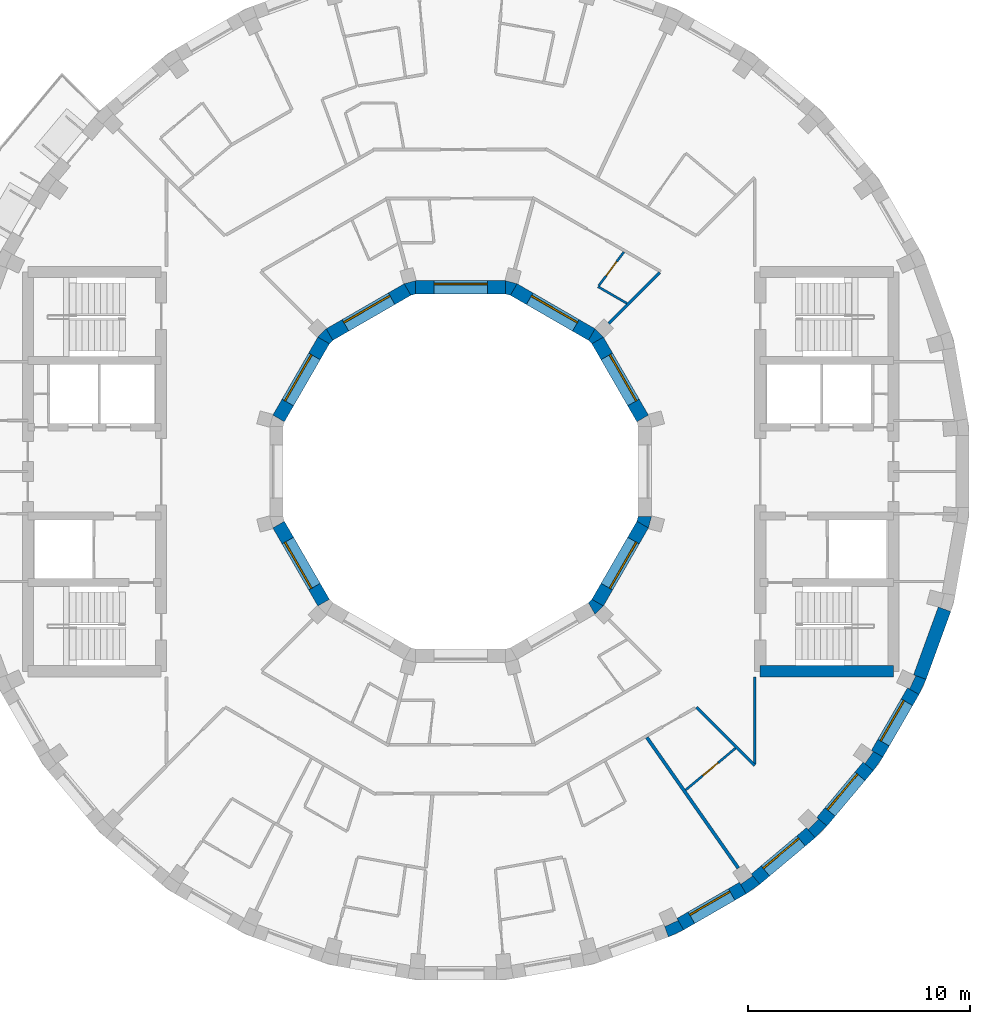
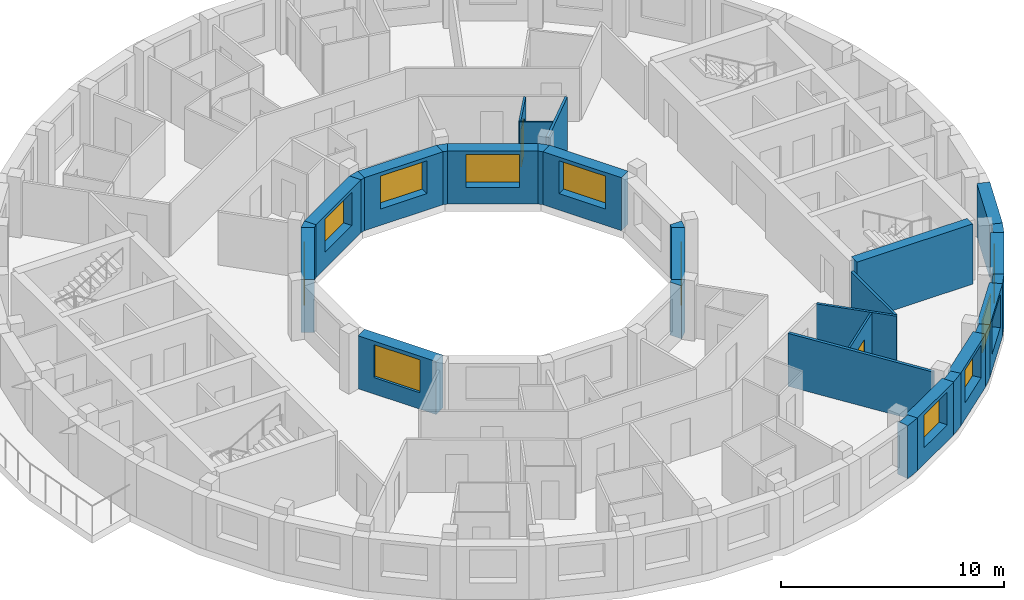
# One storey, part 5 of 10: 31 walls, 11 windows, 2 doors, 13 openings.
"""IFC4 building model written with IfcOpenShell, lengths in metres."""

from ifc_helpers import new_model, si_unit, direction, frame, frame_2d, origin, place, context, subcontext, project, spatial, polyline, rectangle, outline, extrude, material, layer, layer_set, type_object, element, fill, save


model = new_model("IFC4")

# Units and contexts
model_context = context("Model", 3, precision=1e-05, world=origin(), true_north=direction((0.0, 1.0)))
body_context = subcontext(model_context, "Body", "Model", "MODEL_VIEW")
ifc_project = project(units=[si_unit("LENGTHUNIT", "METRE"), si_unit("AREAUNIT", "SQUARE_METRE"), si_unit("VOLUMEUNIT", "CUBIC_METRE"), si_unit("PLANEANGLEUNIT", "RADIAN"), si_unit("MASSUNIT", "GRAM", prefix="KILO")], contexts=[model_context])

# Site, building, storey
site_placement = place(None, origin())
site = spatial("IfcSite", under=ifc_project, at=site_placement, CompositionType="ELEMENT")
building_placement = place(site_placement, origin())
building = spatial("IfcBuilding", under=site, at=building_placement, Name="Saqina Gate Tower", CompositionType="ELEMENT")
storey_placement = place(building_placement, frame((0.0, 0.0, 239.60009765625)))
storey = spatial("IfcBuildingStorey", under=building, at=storey_placement, Name="L68", CompositionType="ELEMENT", Elevation=239.60009765625)

# Walls
ifc_material_1 = material(Name="Brick masonry (buff)", Category="masonry")
wall_type_1 = type_object("IfcWallType", Name="BRICK PIER COPING BUFF", PredefinedType="SOLIDWALL", material=ifc_material_1)
wall_1_placement = place(storey_placement, origin())
element("IfcWall", 1, at=wall_1_placement, inside=storey, type_object=wall_type_1, Name="Pier cap L68 column 30", PredefinedType="SOLIDWALL", context=body_context, shape_type="SweptSolid", body=[
    extrude(outline(polyline([(9.3642578125, -20.974609375), (10.048095703125, -20.65576171875), (9.748291015625, -20.135986328125), (9.79296875, -20.23193359375), (9.203857421875, -20.506591796875), (9.1591796875, -20.410888671875), (9.3642578125, -20.974609375)])), origin(), (0.0, 0.0, 1.0), 2.89990234375),
])
wall_2_placement = place(storey_placement, origin())
element("IfcWall", 2, at=wall_2_placement, inside=storey, type_object=wall_type_1, Name="Pier cap L68 column 31", PredefinedType="SOLIDWALL", context=body_context, shape_type="SweptSolid", body=[
    extrude(outline(polyline([(12.8642578125, -19.02978515625), (13.482421875, -18.59716796875), (13.0966796875, -18.137451171875), (13.157470703125, -18.22412109375), (12.625, -18.596923828125), (12.564208984375, -18.51025390625), (12.8642578125, -19.02978515625)])), origin(), (0.0, 0.0, 1.0), 2.89990234375),
])
wall_3_placement = place(storey_placement, origin())
element("IfcWall", 3, at=wall_3_placement, inside=storey, type_object=wall_type_1, Name="Pier cap L68 column 32", PredefinedType="SOLIDWALL", context=body_context, shape_type="SweptSolid", body=[
    extrude(outline(polyline([(16.5068359375, -15.973388671875), (16.04736328125, -15.587646484375), (16.1220703125, -15.662353515625), (15.662353515625, -16.1220703125), (15.587646484375, -16.04736328125), (15.973388671875, -16.5068359375), (16.5068359375, -15.973388671875)])), origin(), (0.0, 0.0, 1.0), 2.89990234375),
])
wall_4_placement = place(storey_placement, origin())
element("IfcWall", 4, at=wall_4_placement, inside=storey, type_object=wall_type_1, Name="Pier cap L68 column 33", PredefinedType="SOLIDWALL", context=body_context, shape_type="SweptSolid", body=[
    extrude(outline(polyline([(19.02978515625, -12.8642578125), (18.51025390625, -12.564208984375), (18.596923828125, -12.625), (18.22412109375, -13.157470703125), (18.137451171875, -13.0966796875), (18.59716796875, -13.482421875), (19.02978515625, -12.8642578125)])), origin(), (0.0, 0.0, 1.0), 2.89990234375),
])
wall_5_placement = place(storey_placement, origin())
element("IfcWall", 5, at=wall_5_placement, inside=storey, type_object=wall_type_1, Name="Pier cap L68 column 34", PredefinedType="SOLIDWALL", context=body_context, shape_type="SweptSolid", body=[
    extrude(outline(polyline([(20.65576171875, -10.048095703125), (20.974609375, -9.3642578125), (20.410888671875, -9.1591796875), (20.506591796875, -9.203857421875), (20.23193359375, -9.79296875), (20.135986328125, -9.748291015625), (20.65576171875, -10.048095703125)])), origin(), (0.0, 0.0, 1.0), 2.89990234375),
])

# Wall, opening, window
ifc_material_2 = material(Name="Brick masonry (buff)", Category="masonry")
ifc_layer_1 = layer(ifc_material_2, 0.60009765625)
ifc_layer_set_1 = layer_set([ifc_layer_1], Name="FW-BRICK-BUFF")
wall_type_2 = type_object("IfcWallType", Name="FW-BRICK-BUFF", PredefinedType="SOLIDWALL", material=ifc_layer_set_1)
wall_6_placement = place(storey_placement, frame((9.898193359375, -20.39599609375, 0.0), z_axis=(0.0, 0.0, 1.0), x_axis=(0.866016800201, 0.500014901547, 0.0)))
wall_6 = element("IfcWall", 6, at=wall_6_placement, inside=storey, type_object=wall_type_2, Name="Facade wall L68 facet 30", PredefinedType="SOLIDWALL", context=body_context, shape_type="SweptSolid", body=[
    extrude(rectangle(XDim=3.251953125, YDim=0.60009765625, at=frame_2d((1.6259765625, 0.0))), origin(), (0.0, 0.0, 1.0), 2.89990234375),
])
opening_1_placement = place(wall_6_placement, frame((0.57568359375, 0.0, 0.89990234375)))
opening_1 = element("IfcOpeningElement", 7, at=opening_1_placement, cuts=wall_6, Name="Opening G20-W21", PredefinedType="OPENING", context=body_context, shape_type="SweptSolid", body=[
    extrude(rectangle(XDim=2.10009765625, YDim=1.800048828125, at=frame_2d((1.050048828125, 0.89990234375))), frame((0.0, 0.31201171875, 0.0), z_axis=(0.0, -1.0, 0.0), x_axis=(1.0, 0.0, 0.0)), (0.0, 0.0, 1.0), 0.6240234375),
])
ifc_material_3 = material(Name="Aluminium glazing", Category="aluminium")
window_type_1 = type_object("IfcWindowType", Name="WN-D", PartitioningType="SINGLE_PANEL", PredefinedType="WINDOW", material=ifc_material_3)
window_1_placement = place(opening_1_placement, origin())
window_1 = element("IfcWindow", 8, at=window_1_placement, inside=storey, type_object=window_type_1, Name="Window L68 facet 30", OverallHeight=1.800048828125, OverallWidth=2.10009765625, PartitioningType="SINGLE_PANEL", PredefinedType="WINDOW", context=body_context, shape_type="SweptSolid", body=[
    extrude(rectangle(XDim=2.10009765625, YDim=1.800048828125, at=frame_2d((1.050048828125, 0.89990234375))), frame((0.0, 0.179931640625, 0.0), z_axis=(0.0, -1.0, 0.0), x_axis=(1.0, 0.0, 0.0)), (0.0, 0.0, 1.0), 0.06005859375),
])
fill(opening_1, window_1)

wall_7_placement = place(storey_placement, frame((13.28955078125, -18.3671875, 0.0), z_axis=(0.0, 0.0, 1.0), x_axis=(0.766056773982, 0.64277291405, 0.0)))
wall_7 = element("IfcWall", 9, at=wall_7_placement, inside=storey, type_object=wall_type_2, Name="Facade wall L68 facet 31", PredefinedType="SOLIDWALL", context=body_context, shape_type="SweptSolid", body=[
    extrude(rectangle(XDim=3.251708984375, YDim=0.60009765625, at=frame_2d((1.6259765625, 0.0))), origin(), (0.0, 0.0, 1.0), 2.89990234375),
])
opening_2_placement = place(wall_7_placement, frame((0.57568359375, 0.0, 0.89990234375)))
opening_2 = element("IfcOpeningElement", 10, at=opening_2_placement, cuts=wall_7, Name="Opening G20-W22", PredefinedType="OPENING", context=body_context, shape_type="SweptSolid", body=[
    extrude(rectangle(XDim=2.10009765625, YDim=1.800048828125, at=frame_2d((1.050048828125, 0.89990234375))), frame((0.0, 0.31201171875, 0.0), z_axis=(0.0, -1.0, 0.0), x_axis=(1.0, 0.0, 0.0)), (0.0, 0.0, 1.0), 0.6240234375),
])
window_2_placement = place(opening_2_placement, origin())
window_2 = element("IfcWindow", 11, at=window_2_placement, inside=storey, type_object=window_type_1, Name="Window L68 facet 31", OverallHeight=1.800048828125, OverallWidth=2.10009765625, PartitioningType="SINGLE_PANEL", PredefinedType="WINDOW", context=body_context, shape_type="SweptSolid", body=[
    extrude(rectangle(XDim=2.10009765625, YDim=1.800048828125, at=frame_2d((1.050048828125, 0.89990234375))), frame((0.0, 0.179931640625, 0.0), z_axis=(0.0, -1.0, 0.0), x_axis=(1.0, 0.0, 0.0)), (0.0, 0.0, 1.0), 0.06005859375),
])
fill(opening_2, window_2)

wall_8_placement = place(storey_placement, frame((16.277099609375, -15.780517578125, 0.0), z_axis=(0.0, 0.0, 1.0), x_axis=(0.64277291405, 0.766056773982, 0.0)))
wall_8 = element("IfcWall", 12, at=wall_8_placement, inside=storey, type_object=wall_type_2, Name="Facade wall L68 facet 32", PredefinedType="SOLIDWALL", context=body_context, shape_type="SweptSolid", body=[
    extrude(rectangle(XDim=3.251708984375, YDim=0.60009765625, at=frame_2d((1.6259765625, 0.0))), origin(), (0.0, 0.0, 1.0), 2.89990234375),
])
opening_3_placement = place(wall_8_placement, frame((0.57568359375, 0.0, 0.89990234375)))
opening_3 = element("IfcOpeningElement", 13, at=opening_3_placement, cuts=wall_8, Name="Opening G20-W23", PredefinedType="OPENING", context=body_context, shape_type="SweptSolid", body=[
    extrude(rectangle(XDim=2.10009765625, YDim=1.800048828125, at=frame_2d((1.050048828125, 0.89990234375))), frame((0.0, 0.31201171875, 0.0), z_axis=(0.0, -1.0, 0.0), x_axis=(1.0, 0.0, 0.0)), (0.0, 0.0, 1.0), 0.6240234375),
])
window_3_placement = place(opening_3_placement, origin())
window_3 = element("IfcWindow", 14, at=window_3_placement, inside=storey, type_object=window_type_1, Name="Window L68 facet 32", OverallHeight=1.800048828125, OverallWidth=2.10009765625, PartitioningType="SINGLE_PANEL", PredefinedType="WINDOW", context=body_context, shape_type="SweptSolid", body=[
    extrude(rectangle(XDim=2.10009765625, YDim=1.800048828125, at=frame_2d((1.050048828125, 0.89990234375))), frame((0.0, 0.179931640625, 0.0), z_axis=(0.0, -1.0, 0.0), x_axis=(1.0, 0.0, 0.0)), (0.0, 0.0, 1.0), 0.06005859375),
])
fill(opening_3, window_3)

wall_9_placement = place(storey_placement, frame((18.77001953125, -12.71435546875, 0.0), z_axis=(0.0, 0.0, 1.0), x_axis=(0.500014901547, 0.866016800201, 0.0)))
wall_9 = element("IfcWall", 15, at=wall_9_placement, inside=storey, type_object=wall_type_2, Name="Facade wall L68 facet 33", PredefinedType="SOLIDWALL", context=body_context, shape_type="SweptSolid", body=[
    extrude(rectangle(XDim=3.251953125, YDim=0.60009765625, at=frame_2d((1.6259765625, 0.0))), origin(), (0.0, 0.0, 1.0), 2.89990234375),
])
opening_4_placement = place(wall_9_placement, frame((0.57568359375, 0.0, 0.89990234375)))
opening_4 = element("IfcOpeningElement", 16, at=opening_4_placement, cuts=wall_9, Name="Opening G20-W24", PredefinedType="OPENING", context=body_context, shape_type="SweptSolid", body=[
    extrude(rectangle(XDim=2.10009765625, YDim=1.800048828125, at=frame_2d((1.050048828125, 0.89990234375))), frame((0.0, 0.31201171875, 0.0), z_axis=(0.0, -1.0, 0.0), x_axis=(1.0, 0.0, 0.0)), (0.0, 0.0, 1.0), 0.6240234375),
])
window_4_placement = place(opening_4_placement, origin())
window_4 = element("IfcWindow", 17, at=window_4_placement, inside=storey, type_object=window_type_1, Name="Window L68 facet 33", OverallHeight=1.800048828125, OverallWidth=2.10009765625, PartitioningType="SINGLE_PANEL", PredefinedType="WINDOW", context=body_context, shape_type="SweptSolid", body=[
    extrude(rectangle(XDim=2.10009765625, YDim=1.800048828125, at=frame_2d((1.050048828125, 0.89990234375))), frame((0.0, 0.179931640625, 0.0), z_axis=(0.0, -1.0, 0.0), x_axis=(1.0, 0.0, 0.0)), (0.0, 0.0, 1.0), 0.06005859375),
])
fill(opening_4, window_4)

# Wall
ifc_material_4 = material(Name="Glazed ceramic tile (dark blue)", Category="ceramic")
ifc_layer_2 = layer(ifc_material_4, 0.60009765625)
ifc_layer_set_2 = layer_set([ifc_layer_2], Name="FW-TILE-CB")
wall_type_3 = type_object("IfcWallType", Name="FW-TILE-CB", PredefinedType="SOLIDWALL", material=ifc_layer_set_2)
wall_10_placement = place(storey_placement, frame((20.692626953125, -9.26171875, 0.0), z_axis=(0.0, 0.0, 1.0), x_axis=(0.342056509473, 0.939679383794, 0.0)))
element("IfcWall", 18, at=wall_10_placement, inside=storey, type_object=wall_type_3, Name="Facade wall L68 facet 34", PredefinedType="SOLIDWALL", context=body_context, shape_type="SweptSolid", body=[
    extrude(rectangle(XDim=3.251708984375, YDim=0.60009765625, at=frame_2d((1.6259765625, 0.0))), origin(), (0.0, 0.0, 1.0), 2.89990234375),
])

# Wall, opening, window
ifc_material_5 = material(Name="Glazed ceramic tile", Category="ceramic")
ifc_layer_3 = layer(ifc_material_5, 0.60009765625)
ifc_layer_set_3 = layer_set([ifc_layer_3], Name="IW-TILE")
wall_type_4 = type_object("IfcWallType", Name="IW-TILE", PredefinedType="SOLIDWALL", material=ifc_layer_set_3)
wall_11_placement = place(storey_placement, frame((8.20263671875, 2.392578125, 0.0), z_axis=(0.0, 0.0, 1.0), x_axis=(-0.499994954979, 0.866028316509, 0.0)))
wall_11 = element("IfcWall", 19, at=wall_11_placement, inside=storey, type_object=wall_type_4, Name="Well wall L68 facet 1", PredefinedType="SOLIDWALL", context=body_context, shape_type="SweptSolid", body=[
    extrude(rectangle(XDim=4.05859375, YDim=0.60009765625, at=frame_2d((2.029296875, 0.0))), origin(), (0.0, 0.0, 1.0), 2.89990234375),
])
opening_5_placement = place(wall_11_placement, frame((0.829345703125, 0.0, 0.89990234375)))
opening_5 = element("IfcOpeningElement", 20, at=opening_5_placement, cuts=wall_11, Name="Opening G20-W25", PredefinedType="OPENING", context=body_context, shape_type="SweptSolid", body=[
    extrude(rectangle(XDim=2.39990234375, YDim=1.800048828125, at=frame_2d((1.199951171875, 0.89990234375))), frame((0.0, 0.31201171875, 0.0), z_axis=(0.0, -1.0, 0.0), x_axis=(1.0, 0.0, 0.0)), (0.0, 0.0, 1.0), 0.6240234375),
])
ifc_material_6 = material(Name="Aluminium glazing", Category="aluminium")
window_type_2 = type_object("IfcWindowType", Name="WN-W", PartitioningType="SINGLE_PANEL", PredefinedType="WINDOW", material=ifc_material_6)
window_5_placement = place(opening_5_placement, origin())
window_5 = element("IfcWindow", 21, at=window_5_placement, inside=storey, type_object=window_type_2, Name="Well window L68 facet 1", OverallHeight=1.800048828125, OverallWidth=2.39990234375, PartitioningType="SINGLE_PANEL", PredefinedType="WINDOW", context=body_context, shape_type="SweptSolid", body=[
    extrude(rectangle(XDim=2.39990234375, YDim=1.800048828125, at=frame_2d((1.199951171875, 0.89990234375))), frame((0.0, -0.119873046875, 0.0), z_axis=(0.0, -1.0, 0.0), x_axis=(1.0, 0.0, 0.0)), (0.0, 0.0, 1.0), 0.06005859375),
])
fill(opening_5, window_5)

wall_12_placement = place(storey_placement, frame((5.907470703125, 6.17333984375, 0.0), z_axis=(0.0, 0.0, 1.0), x_axis=(-0.866028316509, 0.499994954979, 0.0)))
wall_12 = element("IfcWall", 22, at=wall_12_placement, inside=storey, type_object=wall_type_4, Name="Well wall L68 facet 2", PredefinedType="SOLIDWALL", context=body_context, shape_type="SweptSolid", body=[
    extrude(rectangle(XDim=4.05859375, YDim=0.60009765625, at=frame_2d((2.029296875, 0.0))), origin(), (0.0, 0.0, 1.0), 2.89990234375),
])
opening_6_placement = place(wall_12_placement, frame((0.829345703125, 0.0, 0.89990234375)))
opening_6 = element("IfcOpeningElement", 23, at=opening_6_placement, cuts=wall_12, Name="Opening G20-W26", PredefinedType="OPENING", context=body_context, shape_type="SweptSolid", body=[
    extrude(rectangle(XDim=2.39990234375, YDim=1.800048828125, at=frame_2d((1.199951171875, 0.89990234375))), frame((0.0, 0.31201171875, 0.0), z_axis=(0.0, -1.0, 0.0), x_axis=(1.0, 0.0, 0.0)), (0.0, 0.0, 1.0), 0.6240234375),
])
window_6_placement = place(opening_6_placement, origin())
window_6 = element("IfcWindow", 24, at=window_6_placement, inside=storey, type_object=window_type_2, Name="Well window L68 facet 2", OverallHeight=1.800048828125, OverallWidth=2.39990234375, PartitioningType="SINGLE_PANEL", PredefinedType="WINDOW", context=body_context, shape_type="SweptSolid", body=[
    extrude(rectangle(XDim=2.39990234375, YDim=1.800048828125, at=frame_2d((1.199951171875, 0.89990234375))), frame((0.0, -0.119873046875, 0.0), z_axis=(0.0, -1.0, 0.0), x_axis=(1.0, 0.0, 0.0)), (0.0, 0.0, 1.0), 0.06005859375),
])
fill(opening_6, window_6)

wall_13_placement = place(storey_placement, frame((2.029296875, 8.300048828125, 0.0), z_axis=(0.0, 0.0, 1.0), x_axis=(-1.0, 0.0, 0.0)))
wall_13 = element("IfcWall", 25, at=wall_13_placement, inside=storey, type_object=wall_type_4, Name="Well wall L68 facet 3", PredefinedType="SOLIDWALL", context=body_context, shape_type="SweptSolid", body=[
    extrude(rectangle(XDim=4.05859375, YDim=0.60009765625, at=frame_2d((2.029296875, 0.0))), origin(), (0.0, 0.0, 1.0), 2.89990234375),
])
opening_7_placement = place(wall_13_placement, frame((0.829345703125, 0.0, 0.89990234375)))
opening_7 = element("IfcOpeningElement", 26, at=opening_7_placement, cuts=wall_13, Name="Opening G20-W27", PredefinedType="OPENING", context=body_context, shape_type="SweptSolid", body=[
    extrude(rectangle(XDim=2.39990234375, YDim=1.800048828125, at=frame_2d((1.199951171875, 0.89990234375))), frame((0.0, 0.31201171875, 0.0), z_axis=(0.0, -1.0, 0.0), x_axis=(1.0, 0.0, 0.0)), (0.0, 0.0, 1.0), 0.6240234375),
])
window_7_placement = place(opening_7_placement, origin())
window_7 = element("IfcWindow", 27, at=window_7_placement, inside=storey, type_object=window_type_2, Name="Well window L68 facet 3", OverallHeight=1.800048828125, OverallWidth=2.39990234375, PartitioningType="SINGLE_PANEL", PredefinedType="WINDOW", context=body_context, shape_type="SweptSolid", body=[
    extrude(rectangle(XDim=2.39990234375, YDim=1.800048828125, at=frame_2d((1.199951171875, 0.89990234375))), frame((0.0, -0.119873046875, 0.0), z_axis=(0.0, -1.0, 0.0), x_axis=(1.0, 0.0, 0.0)), (0.0, 0.0, 1.0), 0.06005859375),
])
fill(opening_7, window_7)

wall_14_placement = place(storey_placement, frame((-2.392578125, 8.20263671875, 0.0), z_axis=(0.0, 0.0, 1.0), x_axis=(-0.866028316509, -0.499994954979, 0.0)))
wall_14 = element("IfcWall", 28, at=wall_14_placement, inside=storey, type_object=wall_type_4, Name="Well wall L68 facet 4", PredefinedType="SOLIDWALL", context=body_context, shape_type="SweptSolid", body=[
    extrude(rectangle(XDim=4.05859375, YDim=0.60009765625, at=frame_2d((2.029296875, 0.0))), origin(), (0.0, 0.0, 1.0), 2.89990234375),
])
opening_8_placement = place(wall_14_placement, frame((0.829345703125, 0.0, 0.89990234375)))
opening_8 = element("IfcOpeningElement", 29, at=opening_8_placement, cuts=wall_14, Name="Opening G20-W28", PredefinedType="OPENING", context=body_context, shape_type="SweptSolid", body=[
    extrude(rectangle(XDim=2.39990234375, YDim=1.800048828125, at=frame_2d((1.199951171875, 0.89990234375))), frame((0.0, 0.31201171875, 0.0), z_axis=(0.0, -1.0, 0.0), x_axis=(1.0, 0.0, 0.0)), (0.0, 0.0, 1.0), 0.6240234375),
])
window_8_placement = place(opening_8_placement, origin())
window_8 = element("IfcWindow", 30, at=window_8_placement, inside=storey, type_object=window_type_2, Name="Well window L68 facet 4", OverallHeight=1.800048828125, OverallWidth=2.39990234375, PartitioningType="SINGLE_PANEL", PredefinedType="WINDOW", context=body_context, shape_type="SweptSolid", body=[
    extrude(rectangle(XDim=2.39990234375, YDim=1.800048828125, at=frame_2d((1.199951171875, 0.89990234375))), frame((0.0, -0.119873046875, 0.0), z_axis=(0.0, -1.0, 0.0), x_axis=(1.0, 0.0, 0.0)), (0.0, 0.0, 1.0), 0.06005859375),
])
fill(opening_8, window_8)

wall_15_placement = place(storey_placement, frame((-6.17333984375, 5.907470703125, 0.0), z_axis=(0.0, 0.0, 1.0), x_axis=(-0.499994954979, -0.866028316509, 0.0)))
wall_15 = element("IfcWall", 31, at=wall_15_placement, inside=storey, type_object=wall_type_4, Name="Well wall L68 facet 5", PredefinedType="SOLIDWALL", context=body_context, shape_type="SweptSolid", body=[
    extrude(rectangle(XDim=4.05859375, YDim=0.60009765625, at=frame_2d((2.029296875, 0.0))), origin(), (0.0, 0.0, 1.0), 2.89990234375),
])
opening_9_placement = place(wall_15_placement, frame((0.829345703125, 0.0, 0.89990234375)))
opening_9 = element("IfcOpeningElement", 32, at=opening_9_placement, cuts=wall_15, Name="Opening G20-W29", PredefinedType="OPENING", context=body_context, shape_type="SweptSolid", body=[
    extrude(rectangle(XDim=2.39990234375, YDim=1.800048828125, at=frame_2d((1.199951171875, 0.89990234375))), frame((0.0, 0.31201171875, 0.0), z_axis=(0.0, -1.0, 0.0), x_axis=(1.0, 0.0, 0.0)), (0.0, 0.0, 1.0), 0.6240234375),
])
window_9_placement = place(opening_9_placement, origin())
window_9 = element("IfcWindow", 33, at=window_9_placement, inside=storey, type_object=window_type_2, Name="Well window L68 facet 5", OverallHeight=1.800048828125, OverallWidth=2.39990234375, PartitioningType="SINGLE_PANEL", PredefinedType="WINDOW", context=body_context, shape_type="SweptSolid", body=[
    extrude(rectangle(XDim=2.39990234375, YDim=1.800048828125, at=frame_2d((1.199951171875, 0.89990234375))), frame((0.0, -0.119873046875, 0.0), z_axis=(0.0, -1.0, 0.0), x_axis=(1.0, 0.0, 0.0)), (0.0, 0.0, 1.0), 0.06005859375),
])
fill(opening_9, window_9)

wall_16_placement = place(storey_placement, frame((-8.20263671875, -2.392578125, 0.0), z_axis=(0.0, 0.0, 1.0), x_axis=(0.499994954979, -0.866028316509, 0.0)))
wall_16 = element("IfcWall", 34, at=wall_16_placement, inside=storey, type_object=wall_type_4, Name="Well wall L68 facet 7", PredefinedType="SOLIDWALL", context=body_context, shape_type="SweptSolid", body=[
    extrude(rectangle(XDim=4.05859375, YDim=0.60009765625, at=frame_2d((2.029296875, 0.0))), origin(), (0.0, 0.0, 1.0), 2.89990234375),
])
opening_10_placement = place(wall_16_placement, frame((0.829345703125, 0.0, 0.89990234375)))
opening_10 = element("IfcOpeningElement", 35, at=opening_10_placement, cuts=wall_16, Name="Opening G20-W31", PredefinedType="OPENING", context=body_context, shape_type="SweptSolid", body=[
    extrude(rectangle(XDim=2.39990234375, YDim=1.800048828125, at=frame_2d((1.199951171875, 0.89990234375))), frame((0.0, 0.31201171875, 0.0), z_axis=(0.0, -1.0, 0.0), x_axis=(1.0, 0.0, 0.0)), (0.0, 0.0, 1.0), 0.6240234375),
])
window_10_placement = place(opening_10_placement, origin())
window_10 = element("IfcWindow", 36, at=window_10_placement, inside=storey, type_object=window_type_2, Name="Well window L68 facet 7", OverallHeight=1.800048828125, OverallWidth=2.39990234375, PartitioningType="SINGLE_PANEL", PredefinedType="WINDOW", context=body_context, shape_type="SweptSolid", body=[
    extrude(rectangle(XDim=2.39990234375, YDim=1.800048828125, at=frame_2d((1.199951171875, 0.89990234375))), frame((0.0, -0.119873046875, 0.0), z_axis=(0.0, -1.0, 0.0), x_axis=(1.0, 0.0, 0.0)), (0.0, 0.0, 1.0), 0.06005859375),
])
fill(opening_10, window_10)

wall_17_placement = place(storey_placement, frame((6.17333984375, -5.907470703125, 0.0), z_axis=(0.0, 0.0, 1.0), x_axis=(0.499994954979, 0.866028316509, 0.0)))
wall_17 = element("IfcWall", 37, at=wall_17_placement, inside=storey, type_object=wall_type_4, Name="Well wall L68 facet 11", PredefinedType="SOLIDWALL", context=body_context, shape_type="SweptSolid", body=[
    extrude(rectangle(XDim=4.05859375, YDim=0.60009765625, at=frame_2d((2.029296875, 0.0))), origin(), (0.0, 0.0, 1.0), 2.89990234375),
])
opening_11_placement = place(wall_17_placement, frame((0.829345703125, 0.0, 0.89990234375)))
opening_11 = element("IfcOpeningElement", 38, at=opening_11_placement, cuts=wall_17, Name="Opening G20-W35", PredefinedType="OPENING", context=body_context, shape_type="SweptSolid", body=[
    extrude(rectangle(XDim=2.39990234375, YDim=1.800048828125, at=frame_2d((1.199951171875, 0.89990234375))), frame((0.0, 0.31201171875, 0.0), z_axis=(0.0, -1.0, 0.0), x_axis=(1.0, 0.0, 0.0)), (0.0, 0.0, 1.0), 0.6240234375),
])
window_11_placement = place(opening_11_placement, origin())
window_11 = element("IfcWindow", 39, at=window_11_placement, inside=storey, type_object=window_type_2, Name="Well window L68 facet 11", OverallHeight=1.800048828125, OverallWidth=2.39990234375, PartitioningType="SINGLE_PANEL", PredefinedType="WINDOW", context=body_context, shape_type="SweptSolid", body=[
    extrude(rectangle(XDim=2.39990234375, YDim=1.800048828125, at=frame_2d((1.199951171875, 0.89990234375))), frame((0.0, -0.119873046875, 0.0), z_axis=(0.0, -1.0, 0.0), x_axis=(1.0, 0.0, 0.0)), (0.0, 0.0, 1.0), 0.06005859375),
])
fill(opening_11, window_11)

# Wall
ifc_material_7 = material(Name="Gypsum board on steel studs, 100 mm", Category="steel")
ifc_layer_4 = layer(ifc_material_7, 0.10009765625)
ifc_layer_set_4 = layer_set([ifc_layer_4], Name="PARTITION 100")
wall_type_5 = type_object("IfcWallType", Name="PARTITION 100", PredefinedType="PARTITIONING", material=ifc_layer_set_4)
wall_18_placement = place(storey_placement, frame((6.19189453125, 8.330078125, 0.0), z_axis=(0.0, 0.0, 1.0), x_axis=(0.865863509184, -0.500280304893, 0.0)))
element("IfcWall", 40, at=wall_18_placement, inside=storey, type_object=wall_type_5, Name="PARTITION PW3-20", PredefinedType="PARTITIONING", context=body_context, shape_type="SweptSolid", body=[
    extrude(rectangle(XDim=1.502685546875, YDim=0.10009765625, at=frame_2d((0.75146484375, 0.0))), origin(), (0.0, 0.0, 1.0), 2.89990234375),
])

# Wall, opening, door
wall_19_placement = place(storey_placement, frame((10.140380859375, -14.351806640625, 0.0), z_axis=(0.0, 0.0, 1.0), x_axis=(0.765946379397, 0.642904459378, 0.0)))
wall_19 = element("IfcWall", 41, at=wall_19_placement, inside=storey, type_object=wall_type_5, Name="PARTITION PW3-37", PredefinedType="PARTITIONING", context=body_context, shape_type="SweptSolid", body=[
    extrude(rectangle(XDim=2.9267578125, YDim=0.10009765625, at=frame_2d((1.46337890625, 0.0))), origin(), (0.0, 0.0, 1.0), 2.89990234375),
])
opening_12_placement = place(wall_19_placement, frame((1.007080078125, 0.0, 0.0)))
opening_12 = element("IfcOpeningElement", 42, at=opening_12_placement, cuts=wall_19, Name="Opening G20-D39", PredefinedType="OPENING", context=body_context, shape_type="SweptSolid", body=[
    extrude(rectangle(XDim=0.89990234375, YDim=2.10009765625, at=frame_2d((0.449951171875, 1.050048828125))), frame((0.0, 0.06201171875, 0.0), z_axis=(0.0, -1.0, 0.0), x_axis=(1.0, 0.0, 0.0)), (0.0, 0.0, 1.0), 0.1240234375),
])
ifc_material_8 = material(Name="Timber door leaf, 900 mm", Category="wood")
door_type_1 = type_object("IfcDoorType", Name="DOOR 900 TIMBER", OperationType="SINGLE_SWING_LEFT", PredefinedType="DOOR", material=ifc_material_8)
door_1_placement = place(opening_12_placement, frame((0.89990234375, 0.0, 0.0), z_axis=(0.0, 0.0, 1.0), x_axis=(-1.0, 0.0, 0.0)))
door_1 = element("IfcDoor", 43, at=door_1_placement, inside=storey, type_object=door_type_1, Name="DOOR G20-D39", OperationType="SINGLE_SWING_RIGHT", OverallHeight=2.10009765625, OverallWidth=0.89990234375, PredefinedType="DOOR", context=body_context, shape_type="SweptSolid", body=[
    extrude(rectangle(XDim=0.89990234375, YDim=2.10009765625, at=frame_2d((0.449951171875, 1.050048828125))), frame((0.0, 0.02490234375, 0.0), z_axis=(0.0, -1.0, 0.0), x_axis=(1.0, 0.0, 0.0)), (0.0, 0.0, 1.0), 0.050048828125),
])
fill(opening_12, door_1)

wall_20_placement = place(storey_placement, frame((6.221923828125, 8.3701171875, 0.0), z_axis=(0.0, 0.0, 1.0), x_axis=(0.596480065154, 0.802627891289, 0.0)))
wall_20 = element("IfcWall", 44, at=wall_20_placement, inside=storey, type_object=wall_type_5, Name="PARTITION PW3-40", PredefinedType="PARTITIONING", context=body_context, shape_type="SweptSolid", body=[
    extrude(rectangle(XDim=1.90087890625, YDim=0.10009765625, at=frame_2d((0.950439453125, 0.0))), origin(), (0.0, 0.0, 1.0), 2.89990234375),
])
opening_13_placement = place(wall_20_placement, frame((0.556640625, 0.0, 0.0)))
opening_13 = element("IfcOpeningElement", 45, at=opening_13_placement, cuts=wall_20, Name="Opening G20-D02", PredefinedType="OPENING", context=body_context, shape_type="SweptSolid", body=[
    extrude(rectangle(XDim=0.800048828125, YDim=2.10009765625, at=frame_2d((0.39990234375, 1.050048828125))), frame((0.0, 0.06201171875, 0.0), z_axis=(0.0, -1.0, 0.0), x_axis=(1.0, 0.0, 0.0)), (0.0, 0.0, 1.0), 0.1240234375),
])
ifc_material_9 = material(Name="Timber door leaf, 800 mm", Category="wood")
door_type_2 = type_object("IfcDoorType", Name="DOOR 800 TIMBER", OperationType="SINGLE_SWING_LEFT", PredefinedType="DOOR", material=ifc_material_9)
door_2_placement = place(opening_13_placement, origin())
door_2 = element("IfcDoor", 46, at=door_2_placement, inside=storey, type_object=door_type_2, Name="DOOR G20-D02", OperationType="SINGLE_SWING_RIGHT", OverallHeight=2.10009765625, OverallWidth=0.800048828125, PredefinedType="DOOR", context=body_context, shape_type="SweptSolid", body=[
    extrude(rectangle(XDim=0.800048828125, YDim=2.10009765625, at=frame_2d((0.39990234375, 1.050048828125))), frame((0.0, 0.02490234375, 0.0), z_axis=(0.0, -1.0, 0.0), x_axis=(1.0, 0.0, 0.0)), (0.0, 0.0, 1.0), 0.050048828125),
])
fill(opening_13, door_2)

# Walls
ifc_material_10 = material(Name="Gypsum board on steel studs, 125 mm, fire rated", Category="steel")
ifc_layer_5 = layer(ifc_material_10, 0.125)
ifc_layer_set_5 = layer_set([ifc_layer_5], Name="PARTITION EI 30 125")
wall_type_6 = type_object("IfcWallType", Name="PARTITION EI 30 125", PredefinedType="PARTITIONING", material=ifc_layer_set_5)
wall_21_placement = place(storey_placement, frame((10.6220703125, -10.6220703125, 0.0), z_axis=(0.0, 0.0, 1.0), x_axis=(0.707106781187, -0.707106781187, 0.0)))
element("IfcWall", 47, at=wall_21_placement, inside=storey, type_object=wall_type_6, Name="PARTITION PW1-09", PredefinedType="PARTITIONING", context=body_context, shape_type="SweptSolid", body=[
    extrude(rectangle(XDim=3.716552734375, YDim=0.125, at=frame_2d((1.8583984375, 0.0))), origin(), (0.0, 0.0, 1.0), 2.89990234375),
])
wall_22_placement = place(storey_placement, frame((6.6767578125, 6.6767578125, 0.0), z_axis=(0.0, 0.0, 1.0), x_axis=(0.707106781187, 0.707106781187, 0.0)))
element("IfcWall", 48, at=wall_22_placement, inside=storey, type_object=wall_type_6, Name="PARTITION PW1-31", PredefinedType="PARTITIONING", context=body_context, shape_type="SweptSolid", body=[
    extrude(rectangle(XDim=3.239990234375, YDim=0.125, at=frame_2d((1.6201171875, 0.0))), origin(), (0.0, 0.0, 1.0), 2.89990234375),
])
wall_23_placement = place(storey_placement, frame((13.25, -13.1875, 0.0), z_axis=(0.0, 0.0, 1.0), x_axis=(0.0, 1.0, 0.0)))
element("IfcWall", 49, at=wall_23_placement, inside=storey, type_object=wall_type_6, Name="PARTITION PW1-39", PredefinedType="PARTITIONING", context=body_context, shape_type="SweptSolid", body=[
    extrude(rectangle(XDim=3.9375, YDim=0.125, at=frame_2d((1.96875, 0.0))), origin(), (0.0, 0.0, 1.0), 2.89990234375),
])
ifc_material_11 = material(Name="Gypsum board on steel studs, 150 mm, fire rated", Category="steel")
ifc_layer_6 = layer(ifc_material_11, 0.14990234375)
ifc_layer_set_6 = layer_set([ifc_layer_6], Name="PARTITION EI 60 150")
wall_type_7 = type_object("IfcWallType", Name="PARTITION EI 60 150", PredefinedType="PARTITIONING", material=ifc_layer_set_6)
wall_24_placement = place(storey_placement, frame((8.391845703125, -11.985107421875, 0.0), z_axis=(0.0, 0.0, 1.0), x_axis=(0.573619710388, -0.819121741779, 0.0)))
element("IfcWall", 50, at=wall_24_placement, inside=storey, type_object=wall_type_7, Name="PARTITION PW2-03", PredefinedType="PARTITIONING", context=body_context, shape_type="SweptSolid", body=[
    extrude(rectangle(XDim=7.183837890625, YDim=0.14990234375, at=frame_2d((3.591796875, 0.0))), origin(), (0.0, 0.0, 1.0), 2.89990234375),
])
ifc_material_12 = material(Name="Concrete C60/75", Category="concrete")
ifc_layer_7 = layer(ifc_material_12, 0.5)
ifc_layer_set_7 = layer_set([ifc_layer_7], Name="Concrete C60/75")
wall_type_8 = type_object("IfcWallType", Name="STR-CORE WALL-D-O", PredefinedType="SHEAR", material=ifc_layer_set_7)
wall_25_placement = place(storey_placement, frame((13.5, -9.0, 0.0), z_axis=(0.0, 0.0, 1.0), x_axis=(1.0, 0.0, 0.0)))
element("IfcWall", 51, at=wall_25_placement, inside=storey, type_object=wall_type_8, Name="CORE WALL L68 E-SE", PredefinedType="SHEAR", context=body_context, shape_type="SweptSolid", body=[
    extrude(rectangle(XDim=6.0, YDim=0.5, at=frame_2d((3.0, 0.0))), origin(), (0.0, 0.0, 1.0), 3.2998046875),
])
ifc_material_13 = material(Name="Glazed ceramic tile", Category="ceramic")
wall_type_9 = type_object("IfcWallType", Name="TILE PIER COPING", PredefinedType="SOLIDWALL", material=ifc_material_13)
wall_26_placement = place(storey_placement, origin())
element("IfcWall", 52, at=wall_26_placement, inside=storey, type_object=wall_type_9, Name="Well pier cap L68 column 2", PredefinedType="SOLIDWALL", context=body_context, shape_type="SweptSolid", body=[
    extrude(outline(polyline([(6.0576171875, 6.43310546875), (5.757568359375, 5.91357421875), (5.91357421875, 5.757568359375), (6.43310546875, 6.0576171875), (6.0576171875, 6.43310546875)])), origin(), (0.0, 0.0, 1.0), 2.89990234375),
])
wall_27_placement = place(storey_placement, origin())
element("IfcWall", 53, at=wall_27_placement, inside=storey, type_object=wall_type_9, Name="Well pier cap L68 column 3", PredefinedType="SOLIDWALL", context=body_context, shape_type="SweptSolid", body=[
    extrude(outline(polyline([(2.029296875, 8.60009765625), (2.029296875, 8.0), (2.242431640625, 7.94287109375), (2.54248046875, 8.46240234375), (2.029296875, 8.60009765625)])), origin(), (0.0, 0.0, 1.0), 2.89990234375),
])
wall_28_placement = place(storey_placement, origin())
element("IfcWall", 54, at=wall_28_placement, inside=storey, type_object=wall_type_9, Name="Well pier cap L68 column 4", PredefinedType="SOLIDWALL", context=body_context, shape_type="SweptSolid", body=[
    extrude(outline(polyline([(-2.54248046875, 8.46240234375), (-2.242431640625, 7.94287109375), (-2.029296875, 8.0), (-2.029296875, 8.60009765625), (-2.54248046875, 8.46240234375)])), origin(), (0.0, 0.0, 1.0), 2.89990234375),
])
wall_29_placement = place(storey_placement, origin())
element("IfcWall", 55, at=wall_29_placement, inside=storey, type_object=wall_type_9, Name="Well pier cap L68 column 5", PredefinedType="SOLIDWALL", context=body_context, shape_type="SweptSolid", body=[
    extrude(outline(polyline([(-6.43310546875, 6.0576171875), (-5.91357421875, 5.757568359375), (-5.757568359375, 5.91357421875), (-6.0576171875, 6.43310546875), (-6.43310546875, 6.0576171875)])), origin(), (0.0, 0.0, 1.0), 2.89990234375),
])
wall_30_placement = place(storey_placement, origin())
element("IfcWall", 56, at=wall_30_placement, inside=storey, type_object=wall_type_9, Name="Well pier cap L68 column 11", PredefinedType="SOLIDWALL", context=body_context, shape_type="SweptSolid", body=[
    extrude(outline(polyline([(6.43310546875, -6.0576171875), (5.91357421875, -5.757568359375), (5.757568359375, -5.91357421875), (6.0576171875, -6.43310546875), (6.43310546875, -6.0576171875)])), origin(), (0.0, 0.0, 1.0), 2.89990234375),
])
wall_31_placement = place(storey_placement, origin())
element("IfcWall", 57, at=wall_31_placement, inside=storey, type_object=wall_type_9, Name="Well pier cap L68 column 12", PredefinedType="SOLIDWALL", context=body_context, shape_type="SweptSolid", body=[
    extrude(outline(polyline([(8.60009765625, -2.029296875), (8.0, -2.029296875), (7.94287109375, -2.242431640625), (8.46240234375, -2.54248046875), (8.60009765625, -2.029296875)])), origin(), (0.0, 0.0, 1.0), 2.89990234375),
])

save(model, "model.ifc")
